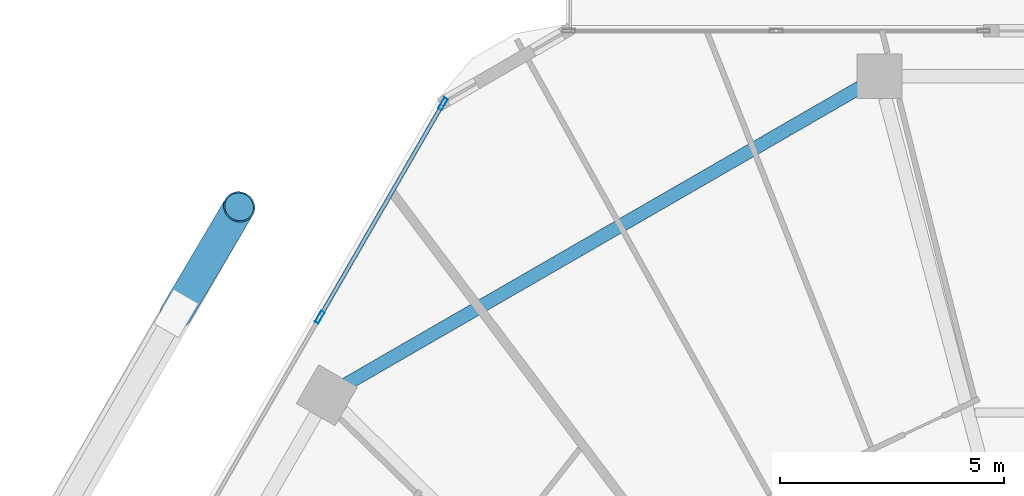
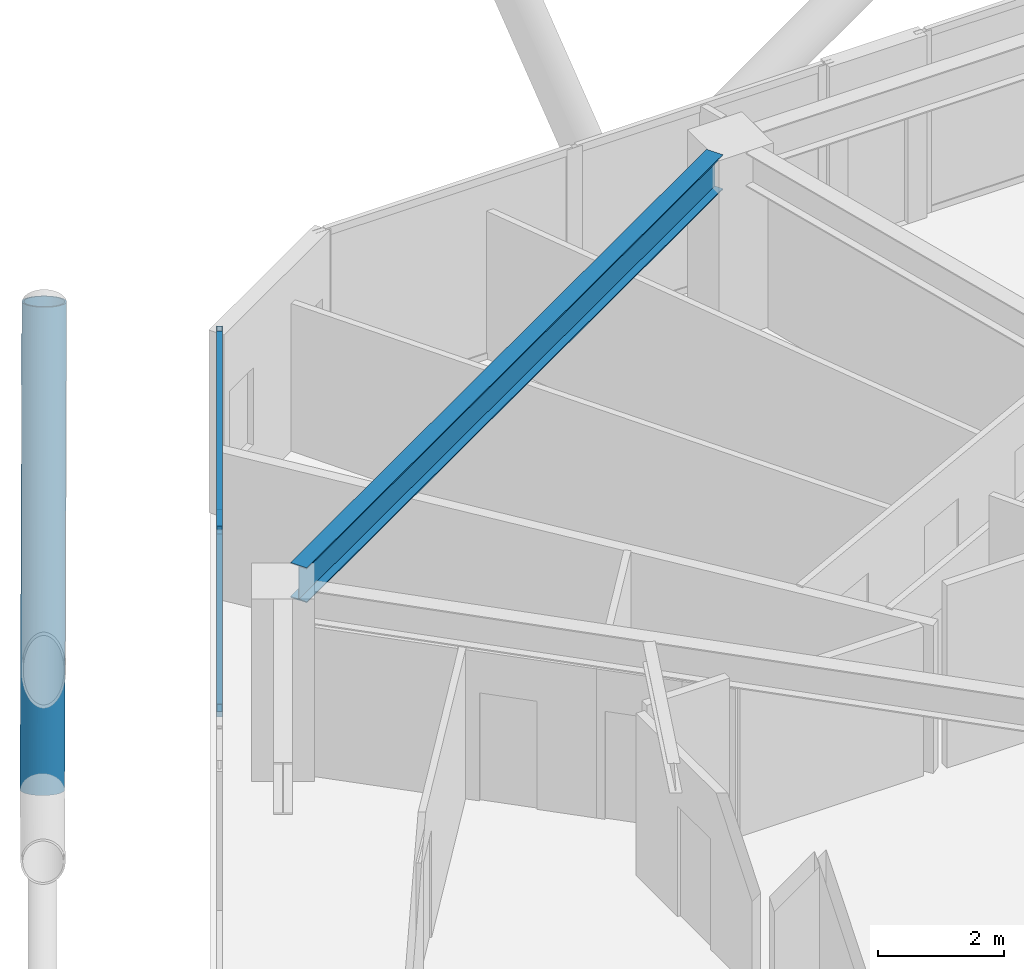
# One storey, part 14 of 29: 5 members, 1 beam, 1 element without a shape of its own.
"""IFC4 building model written with IfcOpenShell, lengths in metres."""

import ifcopenshell
import ifcopenshell.guid

model = None  # the IFC model being written
_history = None  # IfcOwnerHistory: only IFC2X3 demands one
_inside = {}  # id of a spatial element -> (the spatial element, [elements in it])
_under = {}  # id of a project, library or spatial element -> (it, [spatial elements below it])
_declared = {}  # id of a project -> (the project, [libraries it declares])
_typed = {}  # id of a type object -> (the type object, [elements of that type])
_made_of = {}  # id of a material, layer set ... -> (it, [elements and type objects made of it])


def new_model(schema):
    """Start an empty IFC model of exactly this schema.

    Asked for "IFC4X3", IfcOpenShell would pick the latest addendum, in which some entities
    have other attributes; the version numbers below select the first issue.
    IFC2X3 requires an IfcOwnerHistory on every rooted entity: one is made here for all.
    """
    global model, _history
    if schema == "IFC4X3":
        model = ifcopenshell.file(schema_version=(4, 3, 0, 0))
    else:
        model = ifcopenshell.file(schema=schema)
    _inside.clear()
    _under.clear()
    _declared.clear()
    _typed.clear()
    _made_of.clear()
    _history = None
    if model.schema == "IFC2X3":
        org = make("IfcOrganization", Name="unknown")
        user = make(
            "IfcPersonAndOrganization",
            ThePerson=make("IfcPerson", FamilyName="unknown"),
            TheOrganization=org,
        )
        app = make(
            "IfcApplication",
            ApplicationDeveloper=org,
            Version="unknown",
            ApplicationFullName="unknown",
            ApplicationIdentifier="unknown",
        )
        _history = make(
            "IfcOwnerHistory",
            OwningUser=user,
            OwningApplication=app,
            ChangeAction="ADDED",
            CreationDate=0,
        )
    return model


def make(cls, **values):
    """One entity of the class cls with the attributes given. An attribute that is None is left unset."""
    return model.create_entity(
        cls, **{name: value for name, value in values.items() if value is not None}
    )


def rooted(cls, **values):
    """An entity with a GlobalId (a new one), such as an element, a storey or a relation."""
    return make(cls, GlobalId=ifcopenshell.guid.new(), OwnerHistory=_history, **values)


def si_unit(unit_type, name, prefix=None):
    """IfcSIUnit, for example si_unit("LENGTHUNIT", "METRE", prefix="MILLI")."""
    return make("IfcSIUnit", UnitType=unit_type, Prefix=prefix, Name=name)


def assignment(units):
    """IfcUnitAssignment: the units of a project."""
    return None if units is None else make("IfcUnitAssignment", Units=units)


def point(xyz):
    """IfcCartesianPoint."""
    return None if xyz is None else make("IfcCartesianPoint", Coordinates=xyz)


def direction(xyz):
    """IfcDirection."""
    return None if xyz is None else make("IfcDirection", DirectionRatios=xyz)


def frame(location, z_axis=None, x_axis=None):
    """IfcAxis2Placement3D, a coordinate frame: its origin and axes. An axis left out is left unset."""
    return make(
        "IfcAxis2Placement3D",
        Location=point(location),
        Axis=direction(z_axis),
        RefDirection=direction(x_axis),
    )


def frame_2d(location, x_axis=None):
    """IfcAxis2Placement2D, a coordinate frame in the plane: its origin and x axis."""
    return make(
        "IfcAxis2Placement2D", Location=point(location), RefDirection=direction(x_axis)
    )


def origin():
    """The frame at (0, 0, 0) with its axes left unset."""
    return frame((0.0, 0.0, 0.0))


def origin_2d():
    """The frame at (0, 0) in the plane with its x axis left unset."""
    return frame_2d((0.0, 0.0))


def place(relative_to, where):
    """IfcLocalPlacement: puts the frame where relative to a parent placement (None: the world)."""
    return make(
        "IfcLocalPlacement", PlacementRelTo=relative_to, RelativePlacement=where
    )


def context(
    kind, dimensions, precision=None, world=None, true_north=None, identifier=None
):
    """IfcGeometricRepresentationContext, for example the 3D "Model" context."""
    return make(
        "IfcGeometricRepresentationContext",
        ContextIdentifier=identifier,
        ContextType=kind,
        CoordinateSpaceDimension=dimensions,
        Precision=precision,
        WorldCoordinateSystem=world,
        TrueNorth=true_north,
    )


def subcontext(parent, identifier, kind, view, scale=None):
    """IfcGeometricRepresentationSubContext, for example "Body" below "Model"."""
    return make(
        "IfcGeometricRepresentationSubContext",
        ContextIdentifier=identifier,
        ContextType=kind,
        ParentContext=parent,
        TargetScale=scale,
        TargetView=view,
    )


def project(units=None, contexts=None):
    """IfcProject with its units and contexts."""
    return rooted(
        "IfcProject",
        Name="project",
        RepresentationContexts=contexts,
        UnitsInContext=assignment(units),
    )


def spatial(cls, under=None, at=None, **own):
    """A site, building, storey or space (cls), placed at a placement, below another one or the project."""
    s = rooted(cls, ObjectPlacement=at, **own)
    if under is not None:
        _under.setdefault(under.id(), (under, []))[1].append(s)
    return s


def profile(cls, at=None, kind="AREA", **sizes):
    """A parametric profile (cls). Its sizes go by their IFC names, for example OverallWidth=200.0."""
    return make(cls, ProfileType=kind, Position=at, **sizes)


def hollow_rectangle(**sizes):
    """IfcRectangleHollowProfileDef."""
    return profile("IfcRectangleHollowProfileDef", **sizes)


def hollow_circle(**sizes):
    """IfcCircleHollowProfileDef."""
    return profile("IfcCircleHollowProfileDef", **sizes)


def i_section(**sizes):
    """IfcIShapeProfileDef."""
    return profile("IfcIShapeProfileDef", **sizes)


def extrude(swept, where, along, depth):
    """IfcExtrudedAreaSolid: the profile swept, set in the frame where, extruded along a direction by depth."""
    return make(
        "IfcExtrudedAreaSolid",
        SweptArea=swept,
        Position=where,
        ExtrudedDirection=direction(along),
        Depth=depth,
    )


def shape(context_of_items, identifier, shape_type, items):
    """IfcShapeRepresentation: the items that make up one representation, for example the "Body"."""
    return make(
        "IfcShapeRepresentation",
        ContextOfItems=context_of_items,
        RepresentationIdentifier=identifier,
        RepresentationType=shape_type,
        Items=items,
    )


def material(Name=None, Category=None):
    """IfcMaterial."""
    return make("IfcMaterial", Name=Name, Category=Category)


def material_profile(
    of_material, cross_section, Name=None, Category=None, Priority=None
):
    """IfcMaterialProfile: a cross section and its material."""
    return make(
        "IfcMaterialProfile",
        Name=Name,
        Material=of_material,
        Profile=cross_section,
        Priority=Priority,
        Category=Category,
    )


def profile_set(profiles, Name=None, composite=None):
    """IfcMaterialProfileSet."""
    return make(
        "IfcMaterialProfileSet",
        Name=Name,
        MaterialProfiles=profiles,
        CompositeProfile=composite,
    )


def made_of(thing, what):
    """Note that an element or type object is made of a material, layer set ...; save() writes the relation."""
    if what is not None:
        _made_of.setdefault(what.id(), (what, []))[1].append(thing)
    return thing


def type_object(cls, material=None, **own):
    """A type object (cls), such as IfcWallType, which elements share."""
    return made_of(rooted(cls, **own), material)


def element(
    cls,
    number,
    at=None,
    inside=None,
    cuts=None,
    type_object=None,
    material=None,
    context=None,
    identifier="Body",
    shape_type=None,
    held_by="IfcProductDefinitionShape",
    body=None,
    shapes=None,
    **own,
):
    """One element of the class cls, such as IfcWall. Its Tag is "e" and its number.

    at: its placement. inside: the storey or other place that contains it. cuts: it is an
    opening in that element (IfcRelVoidsElement). A single representation is given by context,
    identifier, shape_type and body (its items); several are given by shapes. held_by: the class
    of the entity that holds the representations. save() writes the other relations.
    """
    e = rooted(cls, Tag="e%d" % number, ObjectPlacement=at, **own)
    if body is not None:
        shapes = [shape(context, identifier, shape_type, body)]
    if shapes is not None:
        e.Representation = make(held_by, Representations=shapes)
    if inside is not None:
        _inside.setdefault(inside.id(), (inside, []))[1].append(e)
    if cuts is not None:
        rooted(
            "IfcRelVoidsElement", RelatingBuildingElement=cuts, RelatedOpeningElement=e
        )
    if type_object is not None:
        _typed.setdefault(type_object.id(), (type_object, []))[1].append(e)
    return made_of(e, material)


def aggregate(whole, parts):
    """IfcRelAggregates: a whole, such as a stair, and the parts it consists of."""
    return rooted("IfcRelAggregates", RelatingObject=whole, RelatedObjects=parts)


def save(model, path):
    """Write the relations noted so far, then the file.

    IfcRelAggregates (storeys below a building ...), IfcRelContainedInSpatialStructure (elements
    in a storey), IfcRelDefinesByType, IfcRelAssociatesMaterial and IfcRelDeclares: one each for
    every whole, place, type object, material and project.
    """
    for whole, parts in _under.values():
        aggregate(whole, parts)
    for where, things in _inside.values():
        rooted(
            "IfcRelContainedInSpatialStructure",
            RelatedElements=things,
            RelatingStructure=where,
        )
    for kind, things in _typed.values():
        rooted("IfcRelDefinesByType", RelatedObjects=things, RelatingType=kind)
    for what, things in _made_of.values():
        rooted("IfcRelAssociatesMaterial", RelatedObjects=things, RelatingMaterial=what)
    for by, libraries in _declared.values():
        rooted("IfcRelDeclares", RelatingContext=by, RelatedDefinitions=libraries)
    model.write(path)


model = new_model("IFC4")

# Units and contexts
model_context = context("Model", 3, precision=1e-05, world=origin(), true_north=direction((0.0, 1.0)))
body_context = subcontext(model_context, "Body", "Model", "MODEL_VIEW")
ifc_project = project(units=[si_unit("LENGTHUNIT", "METRE"), si_unit("AREAUNIT", "SQUARE_METRE"), si_unit("VOLUMEUNIT", "CUBIC_METRE"), si_unit("PLANEANGLEUNIT", "RADIAN"), si_unit("MASSUNIT", "GRAM", prefix="KILO")], contexts=[model_context])

# Site, building, storey
site_placement = place(None, origin())
site = spatial("IfcSite", under=ifc_project, at=site_placement, CompositionType="ELEMENT")
building_placement = place(site_placement, origin())
building = spatial("IfcBuilding", under=site, at=building_placement, Name="Zuhravey Tower", CompositionType="ELEMENT")
storey_placement = place(building_placement, frame((0.0, 0.0, 184.60009765625)))
storey = spatial("IfcBuildingStorey", under=building, at=storey_placement, Name="L46", CompositionType="ELEMENT", Elevation=184.60009765625)

# Curtain wall, members
ifc_material_1 = material(Name="Thermally broken anodised aluminium", Category="aluminium")
curtain_wall_type = type_object("IfcCurtainWallType", Name="Zone 1-2 Residential Curtain Wall CW3", PredefinedType="NOTDEFINED", material=ifc_material_1)
curtain_wall_placement = place(storey_placement, origin())
curtain_wall = element("IfcCurtainWall", 1, at=curtain_wall_placement, inside=storey, type_object=curtain_wall_type, Name="L46 CW3 CW-L46-F3-1", PredefinedType="NOTDEFINED")
ifc_material_2 = material(Name="Anodised aluminium", Category="aluminium")
ifc_material_profile_1 = material_profile(ifc_material_2, hollow_rectangle(XDim=0.090087890625, YDim=0.284912109375, WallThickness=0.0048828125, at=origin_2d()), Name="ALU-RHS-90x285x5")
ifc_profile_set_1 = profile_set([ifc_material_profile_1], Name="Anodised aluminium")
member_type_1 = type_object("IfcMemberType", Name="Curtain-Wall Mullion 90x180", PredefinedType="MULLION", material=ifc_profile_set_1)
member_1_placement = place(storey_placement, frame((16.6171875, 52.7939453125, 0.0), z_axis=(0.0, 0.0, 1.0), x_axis=(-0.866025138215, 0.500000459979, 0.0)))
member_1 = element("IfcMember", 2, at=member_1_placement, type_object=member_type_1, Name="CW3 mullion 5", PredefinedType="MULLION", context=body_context, shape_type="SweptSolid", body=[
    extrude(hollow_rectangle(XDim=0.090087890625, YDim=0.284912109375, WallThickness=0.0048828125, at=origin_2d()), origin(), (0.0, 0.0, 1.0), 3.5498046875),
])
member_2_placement = place(storey_placement, frame((19.36669921875, 57.556640625, 0.0), z_axis=(0.0, 0.0, 1.0), x_axis=(-0.866025138215, 0.500000459979, 0.0)))
member_2 = element("IfcMember", 3, at=member_2_placement, type_object=member_type_1, Name="CW3 mullion 6", PredefinedType="MULLION", context=body_context, shape_type="SweptSolid", body=[
    extrude(hollow_rectangle(XDim=0.090087890625, YDim=0.284912109375, WallThickness=0.0048828125, at=origin_2d()), origin(), (0.0, 0.0, 1.0), 3.5498046875),
])
ifc_material_profile_2 = material_profile(ifc_material_2, hollow_rectangle(XDim=0.090087890625, YDim=0.14990234375, WallThickness=0.0048828125, at=origin_2d()), Name="ALU-RHS-90x150x5")
ifc_profile_set_2 = profile_set([ifc_material_profile_2], Name="Anodised aluminium")
member_type_2 = type_object("IfcMemberType", Name="Curtain-Wall Transom 90x150", PredefinedType="USERDEFINED", material=ifc_profile_set_2)
member_3_placement = place(storey_placement, frame((16.6396484375, 52.8330078125, 0.044921875), z_axis=(0.499993332629, 0.866029253159, 0.0), x_axis=(-0.866029253159, 0.499993332629, 0.0)))
member_3 = element("IfcMember", 4, at=member_3_placement, type_object=member_type_2, Name="CW3 transom 5.1", ObjectType="TRANSOM", PredefinedType="USERDEFINED", context=body_context, shape_type="SweptSolid", body=[
    extrude(hollow_rectangle(XDim=0.090087890625, YDim=0.14990234375, WallThickness=0.0048828125, at=origin_2d()), origin(), (0.0, 0.0, 1.0), 5.4091796875),
])
member_4_placement = place(storey_placement, frame((16.6396484375, 52.8330078125, 3.5048828125), z_axis=(0.499993332629, 0.866029253159, 0.0), x_axis=(-0.866029253159, 0.499993332629, 0.0)))
member_4 = element("IfcMember", 5, at=member_4_placement, type_object=member_type_2, Name="CW3 transom 5.2", ObjectType="TRANSOM", PredefinedType="USERDEFINED", context=body_context, shape_type="SweptSolid", body=[
    extrude(hollow_rectangle(XDim=0.090087890625, YDim=0.14990234375, WallThickness=0.0048828125, at=origin_2d()), origin(), (0.0, 0.0, 1.0), 5.4091796875),
])
aggregate(curtain_wall, [member_1, member_2, member_3, member_4])

# Member
ifc_material_3 = material(Name="Steel SM460", Category="steel")
ifc_material_profile_3 = material_profile(ifc_material_3, hollow_circle(Radius=0.355712890625, WallThickness=0.031982421875, at=origin_2d()), Name="CHS-711.2x32")
ifc_profile_set_3 = profile_set([ifc_material_profile_3], Name="Steel SM460")
member_type_3 = type_object("IfcMemberType", Name="Exoskeleton Zone 2 Diagrid CHS711x32", PredefinedType="BRACE", material=ifc_profile_set_3)
member_5_placement = place(storey_placement, frame((13.41064453125, 52.88037109375, -0.444091796875), z_axis=(0.174643023153, 0.295076026787, 0.939377428343), x_axis=(-0.8605687688, 0.509334265651, 0.0)))
element("IfcMember", 6, at=member_5_placement, inside=storey, type_object=member_type_3, Name="L46 Face 3 Diagrid Brace 1", PredefinedType="BRACE", context=body_context, shape_type="SweptSolid", body=[
    extrude(hollow_circle(Radius=0.355712890625, WallThickness=0.031982421875, at=origin_2d()), origin(), (0.0, 0.0, 1.0), 8.0478515625),
])

# Beam
ifc_material_4 = material(Name="Steel SM355", Category="steel")
ifc_material_profile_4 = material_profile(ifc_material_4, i_section(OverallWidth=0.300048828125, OverallDepth=0.679931640625, WebThickness=0.012939453125, FlangeThickness=0.02197265625, at=origin_2d()), Name="H-680x300x13x22")
ifc_profile_set_4 = profile_set([ifc_material_profile_4], Name="Steel SM355")
beam_type = type_object("IfcBeamType", Name="Perimeter Ring Beam H680x300", PredefinedType="BEAM", material=ifc_profile_set_4)
beam_placement = place(storey_placement, frame((28.682373046875, 57.921630859375, 3.2099609375), z_axis=(-0.866022923061, -0.500004296715, 0.0), x_axis=(0.500004296715, -0.866022923061, 0.0)))
element("IfcBeam", 7, at=beam_placement, inside=storey, type_object=beam_type, Name="L46 PB2 BM-L46-PB-04", PredefinedType="BEAM", context=body_context, shape_type="SweptSolid", body=[
    extrude(i_section(OverallWidth=0.300048828125, OverallDepth=0.679931640625, WebThickness=0.012939453125, FlangeThickness=0.02197265625, at=origin_2d()), origin(), (0.0, 0.0, 1.0), 13.2470703125),
])

save(model, "model.ifc")
